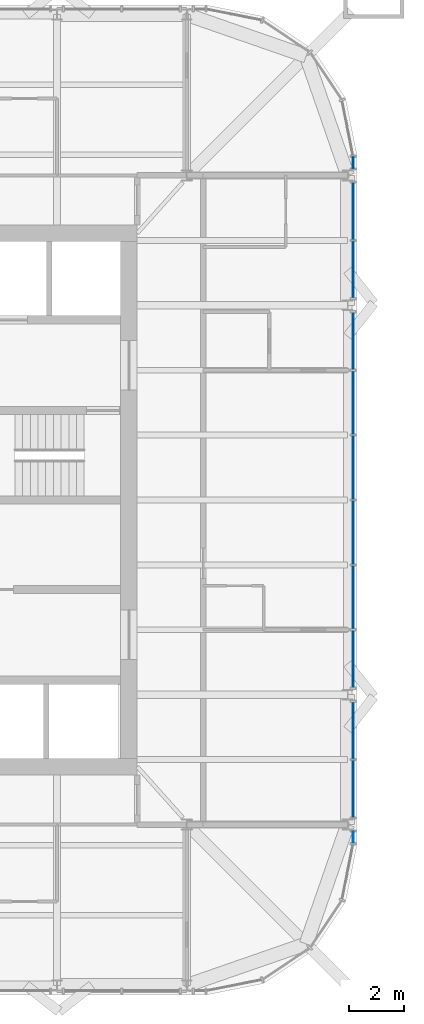
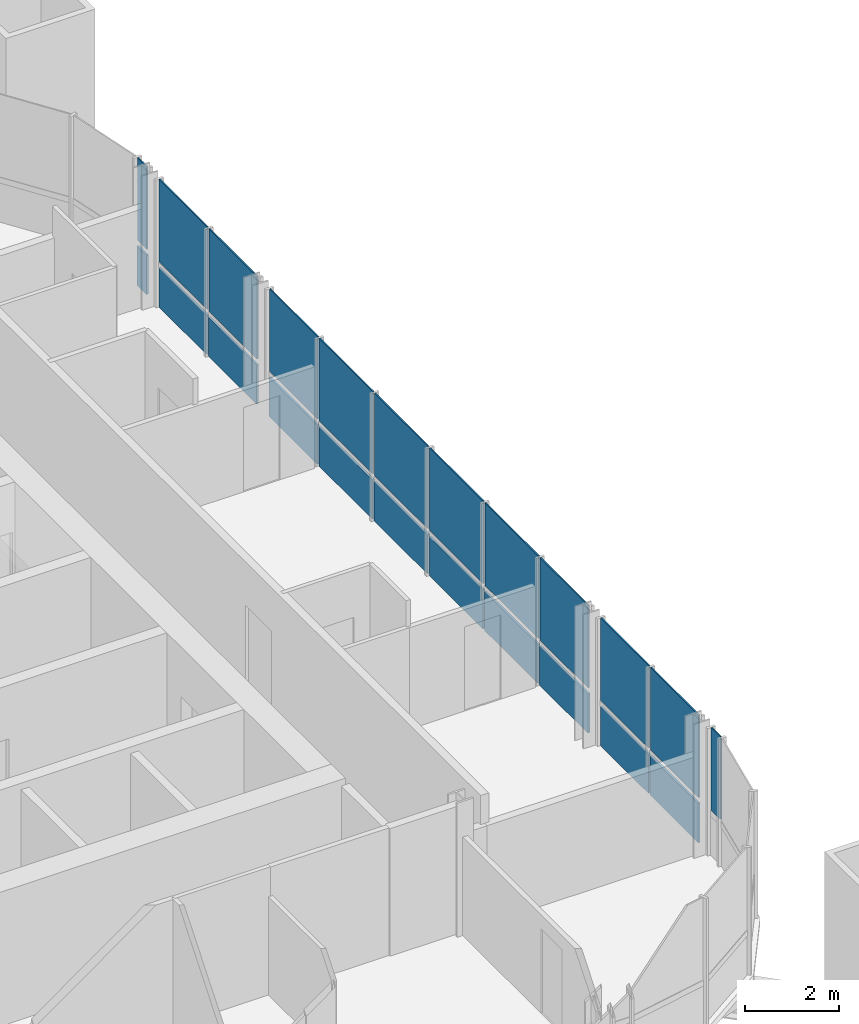
# One storey, part 11 of 17: 23 plates, 5 elements without a shape of their own.
"""IFC4 building model written with IfcOpenShell, lengths in metres."""

from ifc_helpers import new_model, si_unit, direction, frame, origin, origin_2d, place, context, subcontext, project, spatial, rectangle, extrude, material, layer, layer_set, type_object, element, aggregate, save


model = new_model("IFC4")

# Units and contexts
model_context = context("Model", 3, precision=1e-05, world=origin(), true_north=direction((0.0, 1.0)))
body_context = subcontext(model_context, "Body", "Model", "MODEL_VIEW")
ifc_project = project(units=[si_unit("LENGTHUNIT", "METRE"), si_unit("AREAUNIT", "SQUARE_METRE"), si_unit("VOLUMEUNIT", "CUBIC_METRE"), si_unit("PLANEANGLEUNIT", "RADIAN"), si_unit("MASSUNIT", "GRAM", prefix="KILO")], contexts=[model_context])

# Site, building, storey
site_placement = place(None, origin())
site = spatial("IfcSite", under=ifc_project, at=site_placement, CompositionType="ELEMENT")
building_placement = place(site_placement, origin())
building = spatial("IfcBuilding", under=site, at=building_placement, Name="Turquesa Mirador Hotel Tower", CompositionType="ELEMENT")
storey_placement = place(building_placement, frame((0.0, 0.0, 258.199951171875)))
storey = spatial("IfcBuildingStorey", under=building, at=storey_placement, Name="L70", CompositionType="ELEMENT", Elevation=258.199951171875)

# Curtain wall, plates
ifc_material_1 = material(Name="Aluminium extrusion", Category="aluminium")
curtain_wall_type = type_object("IfcCurtainWallType", Name="CW-4 SUITE FRITTED CURTAIN WALL", PredefinedType="USERDEFINED", material=ifc_material_1)
curtain_wall_1_placement = place(storey_placement, origin())
curtain_wall_1 = element("IfcCurtainWall", 1, at=curtain_wall_1_placement, inside=storey, type_object=curtain_wall_type, Name="CW-4 SUITE FRITTED CURTAIN WALL L70", ObjectType="CURTAIN WALL", PredefinedType="USERDEFINED")
ifc_material_2 = material(Name="Ceramic-printed spandrel glass on an insulated back pan", Category="glass")
ifc_layer_1 = layer(ifc_material_2, 0.050048828125)
ifc_layer_set_1 = layer_set([ifc_layer_1], Name="CW PANEL SPANDREL CERAMIC")
plate_type_1 = type_object("IfcPlateType", Name="CW PANEL SPANDREL CERAMIC", PredefinedType="CURTAIN_PANEL", material=ifc_layer_set_1)
plate_1_placement = place(storey_placement, frame((72.85009765625, 34.496826171875, 0.0), z_axis=(0.0, 0.0, 1.0), x_axis=(0.0, 1.0, 0.0)))
plate_1 = element("IfcPlate", 2, at=plate_1_placement, type_object=plate_type_1, Name="Panel", PredefinedType="CURTAIN_PANEL", context=body_context, shape_type="SweptSolid", body=[
    extrude(rectangle(XDim=2.06103515625, YDim=0.050048828125, at=origin_2d()), origin(), (0.0, 0.0, 1.0), 1.02490234375),
])
plate_2_placement = place(storey_placement, frame((72.85009765625, 36.623046875, 0.0), z_axis=(0.0, 0.0, 1.0), x_axis=(0.0, 1.0, 0.0)))
plate_2 = element("IfcPlate", 3, at=plate_2_placement, type_object=plate_type_1, Name="Panel", PredefinedType="CURTAIN_PANEL", context=body_context, shape_type="SweptSolid", body=[
    extrude(rectangle(XDim=2.06103515625, YDim=0.050048828125, at=origin_2d()), origin(), (0.0, 0.0, 1.0), 1.02490234375),
])

curtain_wall_2_placement = place(storey_placement, origin())
curtain_wall_2 = element("IfcCurtainWall", 4, at=curtain_wall_2_placement, inside=storey, type_object=curtain_wall_type, Name="CW-4 SUITE FRITTED CURTAIN WALL L70", ObjectType="CURTAIN WALL", PredefinedType="USERDEFINED")
plate_3_placement = place(storey_placement, frame((72.85009765625, 39.217041015625, 0.0), z_axis=(0.0, 0.0, 1.0), x_axis=(0.0, 1.0, 0.0)))
plate_3 = element("IfcPlate", 5, at=plate_3_placement, type_object=plate_type_1, Name="Panel", PredefinedType="CURTAIN_PANEL", context=body_context, shape_type="SweptSolid", body=[
    extrude(rectangle(XDim=2.06103515625, YDim=0.050048828125, at=origin_2d()), origin(), (0.0, 0.0, 1.0), 1.02490234375),
])
plate_4_placement = place(storey_placement, frame((72.85009765625, 41.4599609375, 0.0), z_axis=(0.0, 0.0, 1.0), x_axis=(0.0, 1.0, 0.0)))
plate_4 = element("IfcPlate", 6, at=plate_4_placement, type_object=plate_type_1, Name="Panel", PredefinedType="CURTAIN_PANEL", context=body_context, shape_type="SweptSolid", body=[
    extrude(rectangle(XDim=2.294921875, YDim=0.050048828125, at=origin_2d()), origin(), (0.0, 0.0, 1.0), 1.02490234375),
])
plate_5_placement = place(storey_placement, frame((72.85009765625, 43.820068359375, 0.0), z_axis=(0.0, 0.0, 1.0), x_axis=(0.0, 1.0, 0.0)))
plate_5 = element("IfcPlate", 7, at=plate_5_placement, type_object=plate_type_1, Name="Panel", PredefinedType="CURTAIN_PANEL", context=body_context, shape_type="SweptSolid", body=[
    extrude(rectangle(XDim=2.294921875, YDim=0.050048828125, at=origin_2d()), origin(), (0.0, 0.0, 1.0), 1.02490234375),
])
plate_6_placement = place(storey_placement, frame((72.85009765625, 46.179931640625, 0.0), z_axis=(0.0, 0.0, 1.0), x_axis=(0.0, 1.0, 0.0)))
plate_6 = element("IfcPlate", 8, at=plate_6_placement, type_object=plate_type_1, Name="Panel", PredefinedType="CURTAIN_PANEL", context=body_context, shape_type="SweptSolid", body=[
    extrude(rectangle(XDim=2.294921875, YDim=0.050048828125, at=origin_2d()), origin(), (0.0, 0.0, 1.0), 1.02490234375),
])
plate_7_placement = place(storey_placement, frame((72.85009765625, 48.5400390625, 0.0), z_axis=(0.0, 0.0, 1.0), x_axis=(0.0, 1.0, 0.0)))
plate_7 = element("IfcPlate", 9, at=plate_7_placement, type_object=plate_type_1, Name="Panel", PredefinedType="CURTAIN_PANEL", context=body_context, shape_type="SweptSolid", body=[
    extrude(rectangle(XDim=2.294921875, YDim=0.050048828125, at=origin_2d()), origin(), (0.0, 0.0, 1.0), 1.02490234375),
])
plate_8_placement = place(storey_placement, frame((72.85009765625, 50.782958984375, 0.0), z_axis=(0.0, 0.0, 1.0), x_axis=(0.0, 1.0, 0.0)))
plate_8 = element("IfcPlate", 10, at=plate_8_placement, type_object=plate_type_1, Name="Panel", PredefinedType="CURTAIN_PANEL", context=body_context, shape_type="SweptSolid", body=[
    extrude(rectangle(XDim=2.06103515625, YDim=0.050048828125, at=origin_2d()), origin(), (0.0, 0.0, 1.0), 1.02490234375),
])

curtain_wall_3_placement = place(storey_placement, origin())
curtain_wall_3 = element("IfcCurtainWall", 11, at=curtain_wall_3_placement, inside=storey, type_object=curtain_wall_type, Name="CW-4 SUITE FRITTED CURTAIN WALL L70", ObjectType="CURTAIN WALL", PredefinedType="USERDEFINED")
plate_9_placement = place(storey_placement, frame((72.85009765625, 53.376953125, 0.0), z_axis=(0.0, 0.0, 1.0), x_axis=(0.0, 1.0, 0.0)))
plate_9 = element("IfcPlate", 12, at=plate_9_placement, type_object=plate_type_1, Name="Panel", PredefinedType="CURTAIN_PANEL", context=body_context, shape_type="SweptSolid", body=[
    extrude(rectangle(XDim=2.06103515625, YDim=0.050048828125, at=origin_2d()), origin(), (0.0, 0.0, 1.0), 1.02490234375),
])
plate_10_placement = place(storey_placement, frame((72.85009765625, 55.503173828125, 0.0), z_axis=(0.0, 0.0, 1.0), x_axis=(0.0, 1.0, 0.0)))
plate_10 = element("IfcPlate", 13, at=plate_10_placement, type_object=plate_type_1, Name="Panel", PredefinedType="CURTAIN_PANEL", context=body_context, shape_type="SweptSolid", body=[
    extrude(rectangle(XDim=2.06103515625, YDim=0.050048828125, at=origin_2d()), origin(), (0.0, 0.0, 1.0), 1.02490234375),
])

# Curtain wall, plate
curtain_wall_4_placement = place(storey_placement, origin())
curtain_wall_4 = element("IfcCurtainWall", 14, at=curtain_wall_4_placement, inside=storey, type_object=curtain_wall_type, Name="CW-4 SUITE FRITTED CURTAIN WALL L70", ObjectType="CURTAIN WALL", PredefinedType="USERDEFINED")
plate_11_placement = place(storey_placement, frame((72.85009765625, 57.266845703125, 0.0), z_axis=(0.0, 0.0, 1.0), x_axis=(0.0, 1.0, 0.0)))
plate_11 = element("IfcPlate", 15, at=plate_11_placement, type_object=plate_type_1, Name="Panel", PredefinedType="CURTAIN_PANEL", context=body_context, shape_type="SweptSolid", body=[
    extrude(rectangle(XDim=0.401123046875, YDim=0.050048828125, at=origin_2d()), origin(), (0.0, 0.0, 1.0), 1.02490234375),
])

curtain_wall_5_placement = place(storey_placement, origin())
curtain_wall_5 = element("IfcCurtainWall", 16, at=curtain_wall_5_placement, inside=storey, type_object=curtain_wall_type, Name="CW-4 SUITE FRITTED CURTAIN WALL L70", ObjectType="CURTAIN WALL", PredefinedType="USERDEFINED")
ifc_material_3 = material(Name="Ceramic-fritted laminated glass", Category="glass")
ifc_layer_2 = layer(ifc_material_3, 0.031982421875)
ifc_layer_set_2 = layer_set([ifc_layer_2], Name="CW PANEL VISION FRITTED")
plate_type_2 = type_object("IfcPlateType", Name="CW PANEL VISION FRITTED", PredefinedType="CURTAIN_PANEL", material=ifc_layer_set_2)
plate_12_placement = place(storey_placement, frame((72.85009765625, 32.733154296875, 1.1748046875), z_axis=(0.0, 0.0, 1.0), x_axis=(0.0, 1.0, 0.0)))
plate_12 = element("IfcPlate", 17, at=plate_12_placement, type_object=plate_type_2, Name="Panel", PredefinedType="CURTAIN_PANEL", context=body_context, shape_type="SweptSolid", body=[
    extrude(rectangle(XDim=0.401123046875, YDim=0.031982421875, at=origin_2d()), origin(), (0.0, 0.0, 1.0), 2.155029296875),
])
aggregate(curtain_wall_5, [plate_12])

# Plate
plate_13_placement = place(storey_placement, frame((72.85009765625, 34.496826171875, 1.1748046875), z_axis=(0.0, 0.0, 1.0), x_axis=(0.0, 1.0, 0.0)))
plate_13 = element("IfcPlate", 18, at=plate_13_placement, type_object=plate_type_2, Name="Panel", PredefinedType="CURTAIN_PANEL", context=body_context, shape_type="SweptSolid", body=[
    extrude(rectangle(XDim=2.06103515625, YDim=0.031982421875, at=origin_2d()), origin(), (0.0, 0.0, 1.0), 2.155029296875),
])

plate_14_placement = place(storey_placement, frame((72.85009765625, 36.623046875, 1.1748046875), z_axis=(0.0, 0.0, 1.0), x_axis=(0.0, 1.0, 0.0)))
plate_14 = element("IfcPlate", 19, at=plate_14_placement, type_object=plate_type_2, Name="Panel", PredefinedType="CURTAIN_PANEL", context=body_context, shape_type="SweptSolid", body=[
    extrude(rectangle(XDim=2.06103515625, YDim=0.031982421875, at=origin_2d()), origin(), (0.0, 0.0, 1.0), 2.155029296875),
])

aggregate(curtain_wall_1, [plate_1, plate_13, plate_2, plate_14])

plate_15_placement = place(storey_placement, frame((72.85009765625, 39.217041015625, 1.1748046875), z_axis=(0.0, 0.0, 1.0), x_axis=(0.0, 1.0, 0.0)))
plate_15 = element("IfcPlate", 20, at=plate_15_placement, type_object=plate_type_2, Name="Panel", PredefinedType="CURTAIN_PANEL", context=body_context, shape_type="SweptSolid", body=[
    extrude(rectangle(XDim=2.06103515625, YDim=0.031982421875, at=origin_2d()), origin(), (0.0, 0.0, 1.0), 2.155029296875),
])

plate_16_placement = place(storey_placement, frame((72.85009765625, 41.4599609375, 1.1748046875), z_axis=(0.0, 0.0, 1.0), x_axis=(0.0, 1.0, 0.0)))
plate_16 = element("IfcPlate", 21, at=plate_16_placement, type_object=plate_type_2, Name="Panel", PredefinedType="CURTAIN_PANEL", context=body_context, shape_type="SweptSolid", body=[
    extrude(rectangle(XDim=2.294921875, YDim=0.031982421875, at=origin_2d()), origin(), (0.0, 0.0, 1.0), 2.155029296875),
])

plate_17_placement = place(storey_placement, frame((72.85009765625, 43.820068359375, 1.1748046875), z_axis=(0.0, 0.0, 1.0), x_axis=(0.0, 1.0, 0.0)))
plate_17 = element("IfcPlate", 22, at=plate_17_placement, type_object=plate_type_2, Name="Panel", PredefinedType="CURTAIN_PANEL", context=body_context, shape_type="SweptSolid", body=[
    extrude(rectangle(XDim=2.294921875, YDim=0.031982421875, at=origin_2d()), origin(), (0.0, 0.0, 1.0), 2.155029296875),
])

plate_18_placement = place(storey_placement, frame((72.85009765625, 46.179931640625, 1.1748046875), z_axis=(0.0, 0.0, 1.0), x_axis=(0.0, 1.0, 0.0)))
plate_18 = element("IfcPlate", 23, at=plate_18_placement, type_object=plate_type_2, Name="Panel", PredefinedType="CURTAIN_PANEL", context=body_context, shape_type="SweptSolid", body=[
    extrude(rectangle(XDim=2.294921875, YDim=0.031982421875, at=origin_2d()), origin(), (0.0, 0.0, 1.0), 2.155029296875),
])

plate_19_placement = place(storey_placement, frame((72.85009765625, 48.5400390625, 1.1748046875), z_axis=(0.0, 0.0, 1.0), x_axis=(0.0, 1.0, 0.0)))
plate_19 = element("IfcPlate", 24, at=plate_19_placement, type_object=plate_type_2, Name="Panel", PredefinedType="CURTAIN_PANEL", context=body_context, shape_type="SweptSolid", body=[
    extrude(rectangle(XDim=2.294921875, YDim=0.031982421875, at=origin_2d()), origin(), (0.0, 0.0, 1.0), 2.155029296875),
])

plate_20_placement = place(storey_placement, frame((72.85009765625, 50.782958984375, 1.1748046875), z_axis=(0.0, 0.0, 1.0), x_axis=(0.0, 1.0, 0.0)))
plate_20 = element("IfcPlate", 25, at=plate_20_placement, type_object=plate_type_2, Name="Panel", PredefinedType="CURTAIN_PANEL", context=body_context, shape_type="SweptSolid", body=[
    extrude(rectangle(XDim=2.06103515625, YDim=0.031982421875, at=origin_2d()), origin(), (0.0, 0.0, 1.0), 2.155029296875),
])

aggregate(curtain_wall_2, [plate_3, plate_15, plate_4, plate_16, plate_5, plate_17, plate_6, plate_18, plate_7, plate_19, plate_8, plate_20])

plate_21_placement = place(storey_placement, frame((72.85009765625, 53.376953125, 1.1748046875), z_axis=(0.0, 0.0, 1.0), x_axis=(0.0, 1.0, 0.0)))
plate_21 = element("IfcPlate", 26, at=plate_21_placement, type_object=plate_type_2, Name="Panel", PredefinedType="CURTAIN_PANEL", context=body_context, shape_type="SweptSolid", body=[
    extrude(rectangle(XDim=2.06103515625, YDim=0.031982421875, at=origin_2d()), origin(), (0.0, 0.0, 1.0), 2.155029296875),
])

plate_22_placement = place(storey_placement, frame((72.85009765625, 55.503173828125, 1.1748046875), z_axis=(0.0, 0.0, 1.0), x_axis=(0.0, 1.0, 0.0)))
plate_22 = element("IfcPlate", 27, at=plate_22_placement, type_object=plate_type_2, Name="Panel", PredefinedType="CURTAIN_PANEL", context=body_context, shape_type="SweptSolid", body=[
    extrude(rectangle(XDim=2.06103515625, YDim=0.031982421875, at=origin_2d()), origin(), (0.0, 0.0, 1.0), 2.155029296875),
])

aggregate(curtain_wall_3, [plate_9, plate_21, plate_10, plate_22])

plate_23_placement = place(storey_placement, frame((72.85009765625, 57.266845703125, 1.1748046875), z_axis=(0.0, 0.0, 1.0), x_axis=(0.0, 1.0, 0.0)))
plate_23 = element("IfcPlate", 28, at=plate_23_placement, type_object=plate_type_2, Name="Panel", PredefinedType="CURTAIN_PANEL", context=body_context, shape_type="SweptSolid", body=[
    extrude(rectangle(XDim=0.401123046875, YDim=0.031982421875, at=origin_2d()), origin(), (0.0, 0.0, 1.0), 2.155029296875),
])

aggregate(curtain_wall_4, [plate_11, plate_23])

save(model, "model.ifc")
